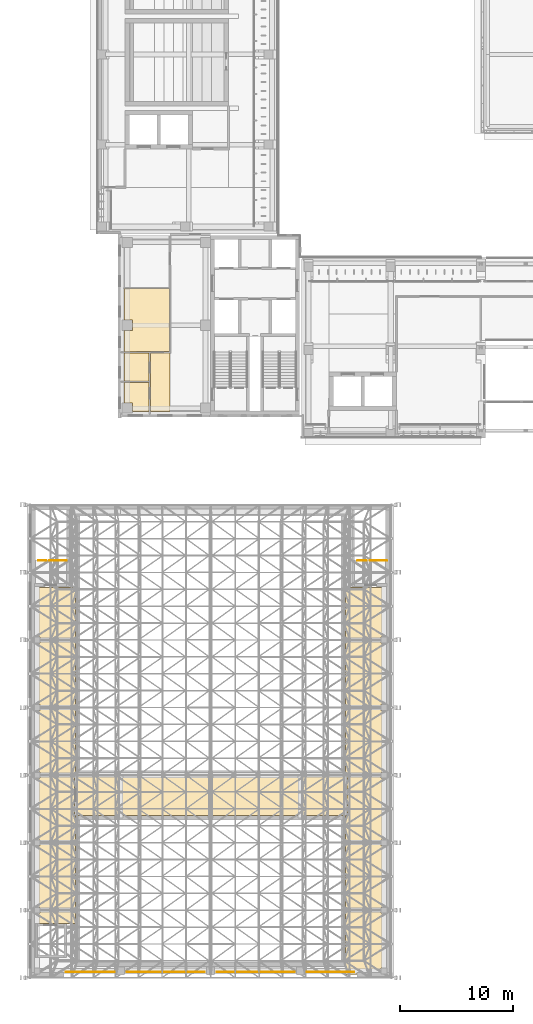
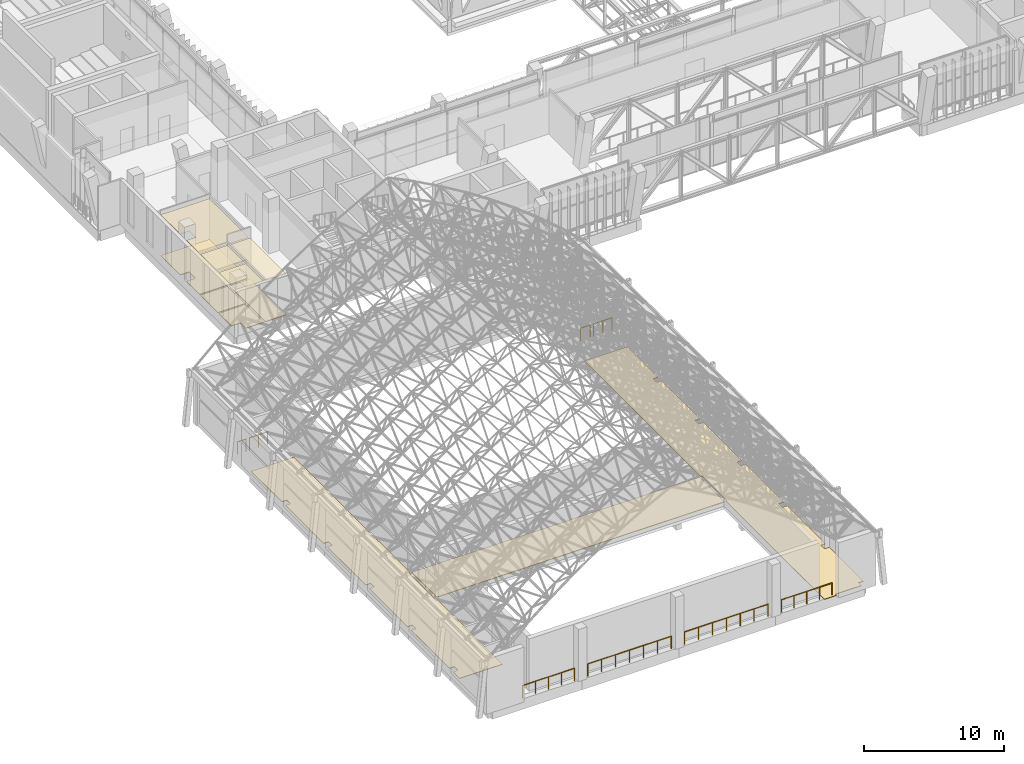
# One storey, part 120 of 141: 11 coverings, 8 railings.
"""IFC4 building model written with IfcOpenShell, lengths in metres."""

import ifcopenshell
import ifcopenshell.guid

model = None  # the IFC model being written
_history = None  # IfcOwnerHistory: only IFC2X3 demands one
_inside = {}  # id of a spatial element -> (the spatial element, [elements in it])
_under = {}  # id of a project, library or spatial element -> (it, [spatial elements below it])
_declared = {}  # id of a project -> (the project, [libraries it declares])
_typed = {}  # id of a type object -> (the type object, [elements of that type])
_made_of = {}  # id of a material, layer set ... -> (it, [elements and type objects made of it])


def new_model(schema):
    """Start an empty IFC model of exactly this schema.

    Asked for "IFC4X3", IfcOpenShell would pick the latest addendum, in which some entities
    have other attributes; the version numbers below select the first issue.
    IFC2X3 requires an IfcOwnerHistory on every rooted entity: one is made here for all.
    """
    global model, _history
    if schema == "IFC4X3":
        model = ifcopenshell.file(schema_version=(4, 3, 0, 0))
    else:
        model = ifcopenshell.file(schema=schema)
    _inside.clear()
    _under.clear()
    _declared.clear()
    _typed.clear()
    _made_of.clear()
    _history = None
    if model.schema == "IFC2X3":
        org = make("IfcOrganization", Name="unknown")
        user = make(
            "IfcPersonAndOrganization",
            ThePerson=make("IfcPerson", FamilyName="unknown"),
            TheOrganization=org,
        )
        app = make(
            "IfcApplication",
            ApplicationDeveloper=org,
            Version="unknown",
            ApplicationFullName="unknown",
            ApplicationIdentifier="unknown",
        )
        _history = make(
            "IfcOwnerHistory",
            OwningUser=user,
            OwningApplication=app,
            ChangeAction="ADDED",
            CreationDate=0,
        )
    return model


def make(cls, **values):
    """One entity of the class cls with the attributes given. An attribute that is None is left unset."""
    return model.create_entity(
        cls, **{name: value for name, value in values.items() if value is not None}
    )


def rooted(cls, **values):
    """An entity with a GlobalId (a new one), such as an element, a storey or a relation."""
    return make(cls, GlobalId=ifcopenshell.guid.new(), OwnerHistory=_history, **values)


def si_unit(unit_type, name, prefix=None):
    """IfcSIUnit, for example si_unit("LENGTHUNIT", "METRE", prefix="MILLI")."""
    return make("IfcSIUnit", UnitType=unit_type, Prefix=prefix, Name=name)


def assignment(units):
    """IfcUnitAssignment: the units of a project."""
    return None if units is None else make("IfcUnitAssignment", Units=units)


def point(xyz):
    """IfcCartesianPoint."""
    return None if xyz is None else make("IfcCartesianPoint", Coordinates=xyz)


def direction(xyz):
    """IfcDirection."""
    return None if xyz is None else make("IfcDirection", DirectionRatios=xyz)


def frame(location, z_axis=None, x_axis=None):
    """IfcAxis2Placement3D, a coordinate frame: its origin and axes. An axis left out is left unset."""
    return make(
        "IfcAxis2Placement3D",
        Location=point(location),
        Axis=direction(z_axis),
        RefDirection=direction(x_axis),
    )


def frame_2d(location, x_axis=None):
    """IfcAxis2Placement2D, a coordinate frame in the plane: its origin and x axis."""
    return make(
        "IfcAxis2Placement2D", Location=point(location), RefDirection=direction(x_axis)
    )


def origin():
    """The frame at (0, 0, 0) with its axes left unset."""
    return frame((0.0, 0.0, 0.0))


def origin_2d():
    """The frame at (0, 0) in the plane with its x axis left unset."""
    return frame_2d((0.0, 0.0))


def place(relative_to, where):
    """IfcLocalPlacement: puts the frame where relative to a parent placement (None: the world)."""
    return make(
        "IfcLocalPlacement", PlacementRelTo=relative_to, RelativePlacement=where
    )


def context(
    kind, dimensions, precision=None, world=None, true_north=None, identifier=None
):
    """IfcGeometricRepresentationContext, for example the 3D "Model" context."""
    return make(
        "IfcGeometricRepresentationContext",
        ContextIdentifier=identifier,
        ContextType=kind,
        CoordinateSpaceDimension=dimensions,
        Precision=precision,
        WorldCoordinateSystem=world,
        TrueNorth=true_north,
    )


def subcontext(parent, identifier, kind, view, scale=None):
    """IfcGeometricRepresentationSubContext, for example "Body" below "Model"."""
    return make(
        "IfcGeometricRepresentationSubContext",
        ContextIdentifier=identifier,
        ContextType=kind,
        ParentContext=parent,
        TargetScale=scale,
        TargetView=view,
    )


def project(units=None, contexts=None):
    """IfcProject with its units and contexts."""
    return rooted(
        "IfcProject",
        Name="project",
        RepresentationContexts=contexts,
        UnitsInContext=assignment(units),
    )


def spatial(cls, under=None, at=None, **own):
    """A site, building, storey or space (cls), placed at a placement, below another one or the project."""
    s = rooted(cls, ObjectPlacement=at, **own)
    if under is not None:
        _under.setdefault(under.id(), (under, []))[1].append(s)
    return s


def polyline(points):
    """IfcPolyline through the points."""
    return make("IfcPolyline", Points=[point(p) for p in points])


def profile(cls, at=None, kind="AREA", **sizes):
    """A parametric profile (cls). Its sizes go by their IFC names, for example OverallWidth=200.0."""
    return make(cls, ProfileType=kind, Position=at, **sizes)


def circle(**sizes):
    """IfcCircleProfileDef."""
    return profile("IfcCircleProfileDef", **sizes)


def outline(outer, holes=None, kind="AREA"):
    """IfcArbitraryClosedProfileDef: a profile drawn as a closed curve; with holes, ...WithVoids."""
    if holes is None:
        return make("IfcArbitraryClosedProfileDef", ProfileType=kind, OuterCurve=outer)
    return make(
        "IfcArbitraryProfileDefWithVoids",
        ProfileType=kind,
        OuterCurve=outer,
        InnerCurves=holes,
    )


def extrude(swept, where, along, depth):
    """IfcExtrudedAreaSolid: the profile swept, set in the frame where, extruded along a direction by depth."""
    return make(
        "IfcExtrudedAreaSolid",
        SweptArea=swept,
        Position=where,
        ExtrudedDirection=direction(along),
        Depth=depth,
    )


def shape(context_of_items, identifier, shape_type, items):
    """IfcShapeRepresentation: the items that make up one representation, for example the "Body"."""
    return make(
        "IfcShapeRepresentation",
        ContextOfItems=context_of_items,
        RepresentationIdentifier=identifier,
        RepresentationType=shape_type,
        Items=items,
    )


def material(Name=None, Category=None):
    """IfcMaterial."""
    return make("IfcMaterial", Name=Name, Category=Category)


def layer(
    of_material, thickness, ventilated=None, Name=None, Category=None, Priority=None
):
    """IfcMaterialLayer: one layer of a wall or slab, of a material (None: an air gap)."""
    return make(
        "IfcMaterialLayer",
        Material=of_material,
        LayerThickness=thickness,
        IsVentilated=ventilated,
        Name=Name,
        Category=Category,
        Priority=Priority,
    )


def layer_set(layers, Name=None):
    """IfcMaterialLayerSet."""
    return make("IfcMaterialLayerSet", MaterialLayers=layers, LayerSetName=Name)


def made_of(thing, what):
    """Note that an element or type object is made of a material, layer set ...; save() writes the relation."""
    if what is not None:
        _made_of.setdefault(what.id(), (what, []))[1].append(thing)
    return thing


def type_object(cls, material=None, **own):
    """A type object (cls), such as IfcWallType, which elements share."""
    return made_of(rooted(cls, **own), material)


def element(
    cls,
    number,
    at=None,
    inside=None,
    cuts=None,
    type_object=None,
    material=None,
    context=None,
    identifier="Body",
    shape_type=None,
    held_by="IfcProductDefinitionShape",
    body=None,
    shapes=None,
    **own,
):
    """One element of the class cls, such as IfcWall. Its Tag is "e" and its number.

    at: its placement. inside: the storey or other place that contains it. cuts: it is an
    opening in that element (IfcRelVoidsElement). A single representation is given by context,
    identifier, shape_type and body (its items); several are given by shapes. held_by: the class
    of the entity that holds the representations. save() writes the other relations.
    """
    e = rooted(cls, Tag="e%d" % number, ObjectPlacement=at, **own)
    if body is not None:
        shapes = [shape(context, identifier, shape_type, body)]
    if shapes is not None:
        e.Representation = make(held_by, Representations=shapes)
    if inside is not None:
        _inside.setdefault(inside.id(), (inside, []))[1].append(e)
    if cuts is not None:
        rooted(
            "IfcRelVoidsElement", RelatingBuildingElement=cuts, RelatedOpeningElement=e
        )
    if type_object is not None:
        _typed.setdefault(type_object.id(), (type_object, []))[1].append(e)
    return made_of(e, material)


def aggregate(whole, parts):
    """IfcRelAggregates: a whole, such as a stair, and the parts it consists of."""
    return rooted("IfcRelAggregates", RelatingObject=whole, RelatedObjects=parts)


def save(model, path):
    """Write the relations noted so far, then the file.

    IfcRelAggregates (storeys below a building ...), IfcRelContainedInSpatialStructure (elements
    in a storey), IfcRelDefinesByType, IfcRelAssociatesMaterial and IfcRelDeclares: one each for
    every whole, place, type object, material and project.
    """
    for whole, parts in _under.values():
        aggregate(whole, parts)
    for where, things in _inside.values():
        rooted(
            "IfcRelContainedInSpatialStructure",
            RelatedElements=things,
            RelatingStructure=where,
        )
    for kind, things in _typed.values():
        rooted("IfcRelDefinesByType", RelatedObjects=things, RelatingType=kind)
    for what, things in _made_of.values():
        rooted("IfcRelAssociatesMaterial", RelatedObjects=things, RelatingMaterial=what)
    for by, libraries in _declared.values():
        rooted("IfcRelDeclares", RelatingContext=by, RelatedDefinitions=libraries)
    model.write(path)


model = new_model("IFC4")

# Units and contexts
model_context = context("Model", 3, precision=1e-05, world=origin(), true_north=direction((0.0, 1.0)))
body_context = subcontext(model_context, "Body", "Model", "MODEL_VIEW")
ifc_project = project(units=[si_unit("LENGTHUNIT", "METRE"), si_unit("AREAUNIT", "SQUARE_METRE"), si_unit("VOLUMEUNIT", "CUBIC_METRE"), si_unit("PLANEANGLEUNIT", "RADIAN"), si_unit("MASSUNIT", "GRAM", prefix="KILO")], contexts=[model_context])

# Site, building, storey
site_placement = place(None, origin())
site = spatial("IfcSite", under=ifc_project, at=site_placement, CompositionType="ELEMENT")
building_placement = place(site_placement, origin())
building = spatial("IfcBuilding", under=site, at=building_placement, Name="Lantern Court Media Centre", CompositionType="ELEMENT")
storey_placement = place(building_placement, frame((0.0, 0.0, 9.60009765625)))
storey = spatial("IfcBuildingStorey", under=building, at=storey_placement, Name="L02", CompositionType="ELEMENT", Elevation=9.60009765625)

# Coverings
ifc_material_1 = material(Name="Carpet")
ifc_layer_1 = layer(ifc_material_1, 0.050048828125)
ifc_layer_set_1 = layer_set([ifc_layer_1], Name="Carpet")
covering_type_1 = type_object("IfcCoveringType", Name="Carpet floor finish", PredefinedType="FLOORING", material=ifc_layer_set_1)
covering_1_placement = place(storey_placement, origin())
element("IfcCovering", 1, at=covering_1_placement, inside=storey, type_object=covering_type_1, Name="Children's and Youth Media Room floor finish", PredefinedType="FLOORING", context=body_context, shape_type="SweptSolid", body=[
    extrude(outline(polyline([(8.300048828125, 59.195068359375), (12.33251953125, 59.195068359375), (12.33251953125, 53.609619140625), (8.300048828125, 53.596923828125), (8.300048828125, 55.4951171875), (9.054931640625, 55.5), (9.053955078125, 56.403076171875), (8.300048828125, 56.405029296875), (8.300048828125, 59.195068359375)])), origin(), (0.0, 0.0, 1.0), 0.0498046875),
])
covering_2_placement = place(storey_placement, origin())
element("IfcCovering", 2, at=covering_2_placement, inside=storey, type_object=covering_type_1, Name="WC Male floor finish", PredefinedType="FLOORING", context=body_context, shape_type="SweptSolid", body=[
    extrude(outline(polyline([(8.300048828125, 50.865966796875), (10.532470703125, 50.865966796875), (10.532470703125, 48.300048828125), (9.054931640625, 48.300048828125), (9.053466796875, 49.053466796875), (8.300048828125, 49.054931640625), (8.300048828125, 50.865966796875)])), origin(), (0.0, 0.0, 1.0), 0.0498046875),
])
covering_3_placement = place(storey_placement, origin())
element("IfcCovering", 3, at=covering_3_placement, inside=storey, type_object=covering_type_1, Name="WC Female floor finish", PredefinedType="FLOORING", context=body_context, shape_type="SweptSolid", body=[
    extrude(outline(polyline([(8.300048828125, 53.487060546875), (10.532470703125, 53.487060546875), (10.532470703125, 50.97607421875), (8.300048828125, 50.97607421875), (8.300048828125, 53.487060546875)])), origin(), (0.0, 0.0, 1.0), 0.0498046875),
])
covering_4_placement = place(storey_placement, origin())
element("IfcCovering", 4, at=covering_4_placement, inside=storey, type_object=covering_type_1, Name="Projection Store floor finish", PredefinedType="FLOORING", context=body_context, shape_type="SweptSolid", body=[
    extrude(outline(polyline([(4.10498046875, 12.405029296875), (4.10498046875, 15.9951171875), (27.89501953125, 15.9951171875), (27.89501953125, 12.405029296875), (4.10498046875, 12.405029296875)])), origin(), (0.0, 0.0, 1.0), 0.0498046875),
])

# Railings
ifc_material_2 = material(Name="Powder-coated steel", Category="steel")
railing_type_1 = type_object("IfcRailingType", Name="Floor edge guard 1100", PredefinedType="GUARDRAIL", material=ifc_material_2)
railing_1_placement = place(storey_placement, frame((0.7099609375, 35.0400390625, 0.0)))
element("IfcRailing", 5, at=railing_1_placement, inside=storey, type_object=railing_type_1, Name="L02 edge guard 35", PredefinedType="GUARDRAIL", context=body_context, shape_type="SweptSolid", body=[
    extrude(circle(Radius=0.02392578125, at=origin_2d()), frame((0.0, 0.0, 1.076171875), z_axis=(1.0, 0.0, 0.0), x_axis=(0.0, 1.0, 0.0)), (0.0, 0.0, 1.0), 0.699951171875),
    extrude(circle(Radius=0.02099609375, at=origin_2d()), origin(), (0.0, 0.0, 1.0), 1.052001953125),
    extrude(circle(Radius=0.02099609375, at=origin_2d()), frame((0.699951171875, 0.0, 0.0)), (0.0, 0.0, 1.0), 1.052001953125),
])
railing_2_placement = place(storey_placement, frame((7.467041015625, -1.489990234375, 0.0)))
element("IfcRailing", 6, at=railing_2_placement, inside=storey, type_object=railing_type_1, Name="L02 edge guard 36", PredefinedType="GUARDRAIL", context=body_context, shape_type="SweptSolid", body=[
    extrude(circle(Radius=0.02392578125, at=origin_2d()), frame((0.0, 0.0, 1.076171875), z_axis=(-1.0, 0.0, 0.0), x_axis=(0.0, -1.0, 0.0)), (0.0, 0.0, 1.0), 4.298095703125),
    extrude(circle(Radius=0.02099609375, at=origin_2d()), origin(), (0.0, 0.0, 1.0), 1.052001953125),
    extrude(circle(Radius=0.02099609375, at=origin_2d()), frame((-1.074462890625, 0.0, 0.0)), (0.0, 0.0, 1.0), 1.052001953125),
    extrude(circle(Radius=0.02099609375, at=origin_2d()), frame((-2.14892578125, 0.0, 0.0)), (0.0, 0.0, 1.0), 1.052001953125),
    extrude(circle(Radius=0.02099609375, at=origin_2d()), frame((-3.2236328125, 0.0, 0.0)), (0.0, 0.0, 1.0), 1.052001953125),
    extrude(circle(Radius=0.02099609375, at=origin_2d()), frame((-4.298095703125, 0.0, 0.0)), (0.0, 0.0, 1.0), 1.052001953125),
])
railing_3_placement = place(storey_placement, frame((15.465087890625, -1.489990234375, 0.0)))
element("IfcRailing", 7, at=railing_3_placement, inside=storey, type_object=railing_type_1, Name="L02 edge guard 41", PredefinedType="GUARDRAIL", context=body_context, shape_type="SweptSolid", body=[
    extrude(circle(Radius=0.02392578125, at=origin_2d()), frame((0.0, 0.0, 1.076171875), z_axis=(-1.0, 0.0, 0.0), x_axis=(0.0, -1.0, 0.0)), (0.0, 0.0, 1.0), 6.898193359375),
    extrude(circle(Radius=0.02099609375, at=origin_2d()), origin(), (0.0, 0.0, 1.0), 1.052001953125),
    extrude(circle(Radius=0.02099609375, at=origin_2d()), frame((-1.149658203125, 0.0, 0.0)), (0.0, 0.0, 1.0), 1.052001953125),
    extrude(circle(Radius=0.02099609375, at=origin_2d()), frame((-2.29931640625, 0.0, 0.0)), (0.0, 0.0, 1.0), 1.052001953125),
    extrude(circle(Radius=0.02099609375, at=origin_2d()), frame((-3.44921875, 0.0, 0.0)), (0.0, 0.0, 1.0), 1.052001953125),
    extrude(circle(Radius=0.02099609375, at=origin_2d()), frame((-4.598876953125, 0.0, 0.0)), (0.0, 0.0, 1.0), 1.052001953125),
    extrude(circle(Radius=0.02099609375, at=origin_2d()), frame((-5.74853515625, 0.0, 0.0)), (0.0, 0.0, 1.0), 1.052001953125),
    extrude(circle(Radius=0.02099609375, at=origin_2d()), frame((-6.898193359375, 0.0, 0.0)), (0.0, 0.0, 1.0), 1.052001953125),
])
railing_4_placement = place(storey_placement, frame((23.462890625, -1.489990234375, 0.0)))
element("IfcRailing", 8, at=railing_4_placement, inside=storey, type_object=railing_type_1, Name="L02 edge guard 42", PredefinedType="GUARDRAIL", context=body_context, shape_type="SweptSolid", body=[
    extrude(circle(Radius=0.02392578125, at=origin_2d()), frame((0.0, 0.0, 1.076171875), z_axis=(-1.0, 0.0, 0.0), x_axis=(0.0, -1.0, 0.0)), (0.0, 0.0, 1.0), 6.89794921875),
    extrude(circle(Radius=0.02099609375, at=origin_2d()), origin(), (0.0, 0.0, 1.0), 1.052001953125),
    extrude(circle(Radius=0.02099609375, at=origin_2d()), frame((-1.149658203125, 0.0, 0.0)), (0.0, 0.0, 1.0), 1.052001953125),
    extrude(circle(Radius=0.02099609375, at=origin_2d()), frame((-2.29931640625, 0.0, 0.0)), (0.0, 0.0, 1.0), 1.052001953125),
    extrude(circle(Radius=0.02099609375, at=origin_2d()), frame((-3.448974609375, 0.0, 0.0)), (0.0, 0.0, 1.0), 1.052001953125),
    extrude(circle(Radius=0.02099609375, at=origin_2d()), frame((-4.5986328125, 0.0, 0.0)), (0.0, 0.0, 1.0), 1.052001953125),
    extrude(circle(Radius=0.02099609375, at=origin_2d()), frame((-5.748291015625, 0.0, 0.0)), (0.0, 0.0, 1.0), 1.052001953125),
    extrude(circle(Radius=0.02099609375, at=origin_2d()), frame((-6.89794921875, 0.0, 0.0)), (0.0, 0.0, 1.0), 1.052001953125),
])
railing_5_placement = place(storey_placement, frame((28.760986328125, -1.489990234375, 0.0)))
element("IfcRailing", 9, at=railing_5_placement, inside=storey, type_object=railing_type_1, Name="L02 edge guard 43", PredefinedType="GUARDRAIL", context=body_context, shape_type="SweptSolid", body=[
    extrude(circle(Radius=0.02392578125, at=origin_2d()), frame((0.0, 0.0, 1.076171875), z_axis=(-1.0, 0.0, 0.0), x_axis=(0.0, -1.0, 0.0)), (0.0, 0.0, 1.0), 4.197998046875),
    extrude(circle(Radius=0.02099609375, at=origin_2d()), origin(), (0.0, 0.0, 1.0), 1.052001953125),
    extrude(circle(Radius=0.02099609375, at=origin_2d()), frame((-1.049560546875, 0.0, 0.0)), (0.0, 0.0, 1.0), 1.052001953125),
    extrude(circle(Radius=0.02099609375, at=origin_2d()), frame((-2.09912109375, 0.0, 0.0)), (0.0, 0.0, 1.0), 1.052001953125),
    extrude(circle(Radius=0.02099609375, at=origin_2d()), frame((-3.1484375, 0.0, 0.0)), (0.0, 0.0, 1.0), 1.052001953125),
    extrude(circle(Radius=0.02099609375, at=origin_2d()), frame((-4.197998046875, 0.0, 0.0)), (0.0, 0.0, 1.0), 1.052001953125),
])
railing_6_placement = place(storey_placement, frame((29.06103515625, 35.0400390625, 0.0)))
element("IfcRailing", 10, at=railing_6_placement, inside=storey, type_object=railing_type_1, Name="L02 edge guard 46", PredefinedType="GUARDRAIL", context=body_context, shape_type="SweptSolid", body=[
    extrude(circle(Radius=0.02392578125, at=origin_2d()), frame((0.0, 0.0, 1.076171875), z_axis=(1.0, 0.0, 0.0), x_axis=(0.0, 1.0, 0.0)), (0.0, 0.0, 1.0), 0.799072265625),
    extrude(circle(Radius=0.02099609375, at=origin_2d()), origin(), (0.0, 0.0, 1.0), 1.052001953125),
    extrude(circle(Radius=0.02099609375, at=origin_2d()), frame((0.799072265625, 0.0, 0.0)), (0.0, 0.0, 1.0), 1.052001953125),
])
railing_type_2 = type_object("IfcRailingType", Name="Stair guard 1100", PredefinedType="GUARDRAIL", material=ifc_material_2)
for number, where, name in (
    (11, (3.199951171875, 35.050048828125, 0.0), "L02 ST-V1-ST-W top well guard 1"),
    (12, (31.64990234375, 35.050048828125, 0.0), "L02 ST-V1-ST-E top well guard 1"),
):
    element("IfcRailing", number, at=place(storey_placement, frame(where)), inside=storey, type_object=railing_type_2, Name=name, PredefinedType="GUARDRAIL", context=body_context, shape_type="SweptSolid", body=[
        extrude(circle(Radius=0.02392578125, at=origin_2d()), frame((0.0, 0.0, 1.076171875), z_axis=(-1.0, 0.0, 0.0), x_axis=(0.0, -1.0, 0.0)), (0.0, 0.0, 1.0), 1.5),
        extrude(circle(Radius=0.02099609375, at=origin_2d()), origin(), (0.0, 0.0, 1.0), 1.052001953125),
        extrude(circle(Radius=0.02099609375, at=origin_2d()), frame((-0.75, 0.0, 0.0)), (0.0, 0.0, 1.0), 1.052001953125),
        extrude(circle(Radius=0.02099609375, at=origin_2d()), frame((-1.5, 0.0, 0.0)), (0.0, 0.0, 1.0), 1.052001953125),
    ])

# Coverings
ifc_material_3 = material(Name="Mineral fibre ceiling tile")
ifc_layer_2 = layer(ifc_material_3, 0.02001953125)
ifc_layer_set_2 = layer_set([ifc_layer_2], Name="Mineral fibre ceiling tile")
covering_type_2 = type_object("IfcCoveringType", Name="Suspended ceiling tile", PredefinedType="CEILING", material=ifc_layer_set_2)
covering_5_placement = place(storey_placement, frame((0.0, 0.0, 3.599853515625)))
element("IfcCovering", 13, at=covering_5_placement, inside=storey, type_object=covering_type_2, Name="Children's and Youth Media Room ceiling", PredefinedType="CEILING", context=body_context, shape_type="SweptSolid", body=[
    extrude(outline(polyline([(8.300048828125, 59.199462890625), (12.3369140625, 59.199462890625), (12.3369140625, 53.60498046875), (8.300048828125, 53.592529296875), (8.300048828125, 55.49951171875), (9.050537109375, 55.5), (9.05029296875, 56.400390625), (8.300048828125, 56.400390625), (8.300048828125, 59.199462890625)])), origin(), (0.0, 0.0, 1.0), 0.02001953125),
])
covering_6_placement = place(storey_placement, frame((0.0, 0.0, 3.599853515625)))
element("IfcCovering", 14, at=covering_6_placement, inside=storey, type_object=covering_type_2, Name="WC Lobby ceiling", PredefinedType="CEILING", context=body_context, shape_type="SweptSolid", body=[
    extrude(outline(polyline([(12.39990234375, 48.300048828125), (10.6630859375, 48.300048828125), (10.6630859375, 53.47900390625), (12.39990234375, 53.47900390625), (12.39990234375, 48.300048828125)])), origin(), (0.0, 0.0, 1.0), 0.02001953125),
])
covering_7_placement = place(storey_placement, frame((0.0, 0.0, 3.599853515625)))
element("IfcCovering", 15, at=covering_7_placement, inside=storey, type_object=covering_type_2, Name="WC Male ceiling", PredefinedType="CEILING", context=body_context, shape_type="SweptSolid", body=[
    extrude(outline(polyline([(8.300048828125, 50.87060546875), (10.537109375, 50.87060546875), (10.537109375, 48.300048828125), (9.050537109375, 48.300048828125), (9.05029296875, 49.05029296875), (8.300048828125, 49.050537109375), (8.300048828125, 50.87060546875)])), origin(), (0.0, 0.0, 1.0), 0.02001953125),
])
covering_8_placement = place(storey_placement, frame((0.0, 0.0, 3.599853515625)))
element("IfcCovering", 16, at=covering_8_placement, inside=storey, type_object=covering_type_2, Name="WC Female ceiling", PredefinedType="CEILING", context=body_context, shape_type="SweptSolid", body=[
    extrude(outline(polyline([(8.300048828125, 53.491455078125), (10.537109375, 53.491455078125), (10.537109375, 50.971435546875), (8.300048828125, 50.971435546875), (8.300048828125, 53.491455078125)])), origin(), (0.0, 0.0, 1.0), 0.02001953125),
])
ifc_material_4 = material(Name="Terrazzo")
ifc_layer_3 = layer(ifc_material_4, 0.050048828125)
ifc_layer_set_3 = layer_set([ifc_layer_3], Name="Terrazzo")
covering_type_3 = type_object("IfcCoveringType", Name="Terrazzo floor finish", PredefinedType="FLOORING", material=ifc_layer_set_3)
covering_9_placement = place(storey_placement, origin())
element("IfcCovering", 17, at=covering_9_placement, inside=storey, type_object=covering_type_3, Name="WC Lobby floor finish", PredefinedType="FLOORING", context=body_context, shape_type="SweptSolid", body=[
    extrude(outline(polyline([(12.39990234375, 48.300048828125), (10.66748046875, 48.300048828125), (10.66748046875, 53.474609375), (12.39990234375, 53.474609375), (12.39990234375, 48.300048828125)])), origin(), (0.0, 0.0, 1.0), 0.0498046875),
])
covering_10_placement = place(storey_placement, origin())
element("IfcCovering", 18, at=covering_10_placement, inside=storey, type_object=covering_type_3, Name="Exit Corridor floor finish", PredefinedType="FLOORING", context=body_context, shape_type="SweptSolid", body=[
    extrude(outline(polyline([(3.9951171875, 32.64990234375), (3.9951171875, 16.0048828125), (3.89501953125, 16.0), (3.89501953125, 12.39990234375), (3.9951171875, 12.39501953125), (3.9951171875, 2.800048828125), (0.455078125, 2.804931640625), (0.455078125, 3.7451171875), (0.85498046875, 3.75), (0.853759765625, 4.253173828125), (0.455078125, 4.2548828125), (0.455078125, 9.7451171875), (0.85498046875, 9.75), (0.853759765625, 10.253173828125), (0.455078125, 10.2548828125), (0.455078125, 15.7451171875), (0.85498046875, 15.75), (0.853759765625, 16.253173828125), (0.455078125, 16.2548828125), (0.455078125, 21.7451171875), (0.85498046875, 21.75), (0.853759765625, 22.253173828125), (0.455078125, 22.2548828125), (0.455078125, 27.7451171875), (0.85498046875, 27.75), (0.853759765625, 28.253173828125), (0.455078125, 28.2548828125), (0.455078125, 32.64990234375), (3.9951171875, 32.64990234375)])), origin(), (0.0, 0.0, 1.0), 0.0498046875),
])
covering_11_placement = place(storey_placement, origin())
element("IfcCovering", 19, at=covering_11_placement, inside=storey, type_object=covering_type_3, Name="Exit Corridor floor finish", PredefinedType="FLOORING", context=body_context, shape_type="SweptSolid", body=[
    extrude(outline(polyline([(31.544921875, 32.64990234375), (31.544921875, 28.2548828125), (31.14501953125, 28.25), (31.146240234375, 27.746826171875), (31.544921875, 27.7451171875), (31.544921875, 22.2548828125), (31.14501953125, 22.25), (31.146240234375, 21.746826171875), (31.544921875, 21.7451171875), (31.544921875, 16.2548828125), (31.14501953125, 16.25), (31.146240234375, 15.746826171875), (31.544921875, 15.7451171875), (31.544921875, 10.2548828125), (31.14501953125, 10.25), (31.146240234375, 9.746826171875), (31.544921875, 9.7451171875), (31.544921875, 4.2548828125), (31.14501953125, 4.25), (31.146240234375, 3.746826171875), (31.544921875, 3.7451171875), (31.544921875, -1.14501953125), (31.146484375, -1.146484375), (31.14501953125, -1.544921875), (28.99951171875, -1.544921875), (28.9951171875, -1.699951171875), (28.0, -1.699951171875), (28.0048828125, 12.39501953125), (28.10498046875, 12.39990234375), (28.10498046875, 16.0), (28.0048828125, 16.0048828125), (28.0048828125, 32.64990234375), (31.544921875, 32.64990234375)])), origin(), (0.0, 0.0, 1.0), 0.0498046875),
])

save(model, "model.ifc")
